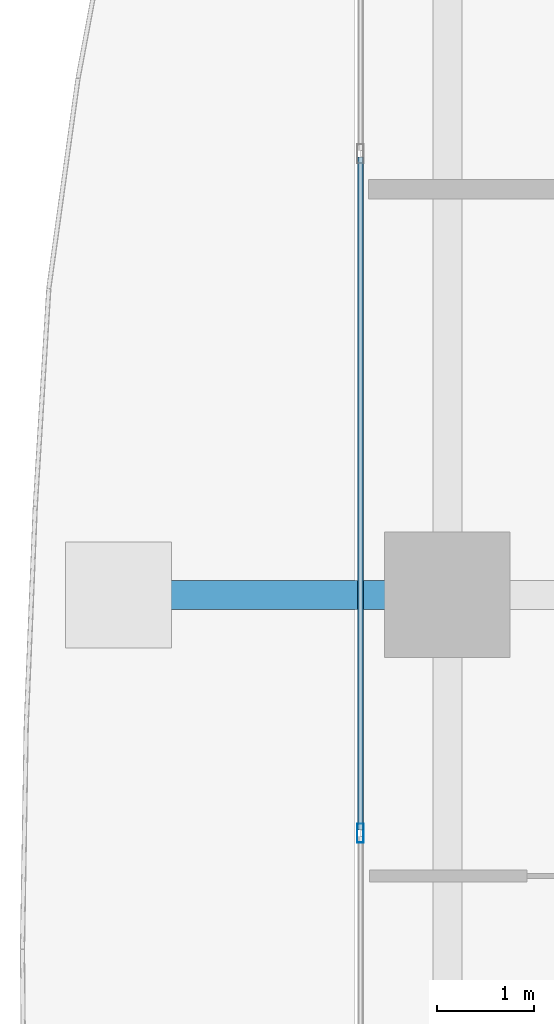
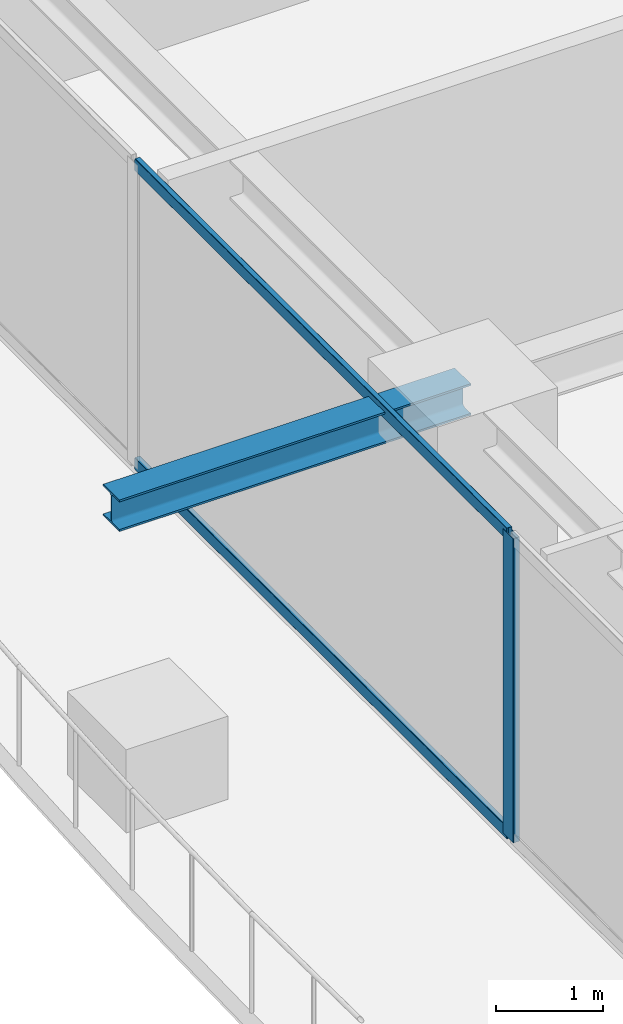
# One storey, part 10 of 38: 3 members, 1 beam, 1 element without a shape of its own.
"""IFC4 building model written with IfcOpenShell, lengths in metres."""

from ifc_helpers import new_model, si_unit, direction, frame, origin, origin_2d, place, context, subcontext, project, spatial, hollow_rectangle, i_section, extrude, source, transform, mapped, material, layer, layer_set, material_profile, profile_set, type_object, element, aggregate, save


model = new_model("IFC4")

# Units and contexts
model_context = context("Model", 3, precision=1e-05, world=origin(), true_north=direction((0.0, 1.0)))
body_context = subcontext(model_context, "Body", "Model", "MODEL_VIEW")
ifc_project = project(units=[si_unit("LENGTHUNIT", "METRE"), si_unit("AREAUNIT", "SQUARE_METRE"), si_unit("VOLUMEUNIT", "CUBIC_METRE"), si_unit("PLANEANGLEUNIT", "RADIAN"), si_unit("MASSUNIT", "GRAM", prefix="KILO")], contexts=[model_context])

# Site, building, storey
site_placement = place(None, origin())
site = spatial("IfcSite", under=ifc_project, at=site_placement, CompositionType="ELEMENT")
building_placement = place(site_placement, origin())
building = spatial("IfcBuilding", under=site, at=building_placement, Name="Serunith Strait Residences", CompositionType="ELEMENT")
storey_placement = place(building_placement, frame((0.0, 0.0, 183.89990234375)))
storey = spatial("IfcBuildingStorey", under=building, at=storey_placement, Name="L46", CompositionType="ELEMENT", Elevation=183.89990234375)

# Beam
ifc_material_1 = material(Name="Steel S355J2", Category="steel")
ifc_material_profile_1 = material_profile(ifc_material_1, i_section(OverallWidth=0.300048828125, OverallDepth=0.360107421875, WebThickness=0.012451171875, FlangeThickness=0.0224609375, FilletRadius=0.027099609375, at=origin_2d()), Name="HEB 360")
ifc_profile_set_1 = profile_set([ifc_material_profile_1], Name="Steel S355J2")
beam_type = type_object("IfcBeamType", Name="BM-HEB360", PredefinedType="BEAM", material=ifc_profile_set_1)
shared_shape_1 = source(origin(), body_context, "Body", "SweptSolid", [
    extrude(i_section(OverallWidth=0.300048828125, OverallDepth=0.360107421875, WebThickness=0.012451171875, FlangeThickness=0.0224609375, FilletRadius=0.027099609375, at=origin_2d()), origin(), (0.0, 0.0, 1.0), 3.800048828125),
])
beam_placement = place(storey_placement, frame((8.699951171875, 29.39990234375, 3.277099609375), z_axis=(-1.0, 0.0, 0.0), x_axis=(0.0, -1.0, 0.0)))
element("IfcBeam", 1, at=beam_placement, inside=storey, type_object=beam_type, Name="L47 Cantilevered Balcony Rib TC-W3", PredefinedType="BEAM", context=body_context, shape_type="MappedRepresentation", body=[
    mapped(shared_shape_1, transform((0.0, 0.0, 0.0), scale=1.0)),
])

# Curtain wall, members
ifc_material_2 = material(Name="Pale-Champagne Anodised Aluminium", Category="aluminium")
ifc_layer = layer(ifc_material_2, 0.199951171875, Name="Pale-Champagne Anodised Aluminium")
ifc_layer_set = layer_set([ifc_layer], Name="Pale-Champagne Anodised Aluminium")
curtain_wall_type = type_object("IfcCurtainWallType", Name="CW-SYS2", PredefinedType="NOTDEFINED", material=ifc_layer_set)
curtain_wall_placement = place(storey_placement, origin())
curtain_wall = element("IfcCurtainWall", 2, at=curtain_wall_placement, inside=storey, type_object=curtain_wall_type, Name="L46 W Unitised Fritted Curtain Wall", PredefinedType="NOTDEFINED")
ifc_material_profile_2 = material_profile(ifc_material_2, hollow_rectangle(XDim=0.070068359375, YDim=0.199951171875, WallThickness=0.00390625, InnerFilletRadius=0.006103515625, OuterFilletRadius=0.010009765625, at=origin_2d()), Name="ALU 200x70x4")
ifc_profile_set_2 = profile_set([ifc_material_profile_2], Name="Pale-Champagne Anodised Aluminium")
member_type_1 = type_object("IfcMemberType", Name="CW-SYS2-MULL", PredefinedType="MULLION", material=ifc_profile_set_2)
shared_shape_2 = source(origin(), body_context, "Body", "SweptSolid", [
    extrude(hollow_rectangle(XDim=0.070068359375, YDim=0.199951171875, WallThickness=0.00390625, InnerFilletRadius=0.006103515625, OuterFilletRadius=0.010009765625, at=origin_2d()), origin(), (0.0, 0.0, 1.0), 3.47509765625),
])
member_1_placement = place(storey_placement, frame((7.800048828125, 26.933349609375, 0.0), z_axis=(0.0, 0.0, 1.0), x_axis=(1.0, 0.0, 0.0)))
member_1 = element("IfcMember", 3, at=member_1_placement, type_object=member_type_1, Name="CW-2 mullion 3", PredefinedType="MULLION", context=body_context, shape_type="MappedRepresentation", body=[
    mapped(shared_shape_2, transform((0.0, 0.0, 0.0), scale=1.0)),
])
ifc_material_profile_3 = material_profile(ifc_material_2, hollow_rectangle(XDim=0.06005859375, YDim=0.139892578125, WallThickness=0.00341796875, InnerFilletRadius=0.00537109375, OuterFilletRadius=0.0087890625, at=origin_2d()), Name="ALU 140x60x3.5")
ifc_profile_set_3 = profile_set([ifc_material_profile_3], Name="Pale-Champagne Anodised Aluminium")
member_type_2 = type_object("IfcMemberType", Name="CW-SYS2-TRAN", PredefinedType="USERDEFINED", material=ifc_profile_set_3)
shared_shape_3 = source(origin(), body_context, "Body", "SweptSolid", [
    extrude(hollow_rectangle(XDim=0.06005859375, YDim=0.139892578125, WallThickness=0.00341796875, InnerFilletRadius=0.00537109375, OuterFilletRadius=0.0087890625, at=origin_2d()), origin(), (0.0, 0.0, 1.0), 6.96337890625),
])
member_2_placement = place(storey_placement, frame((7.800048828125, 33.931640625, 0.030029296875), z_axis=(0.0, -1.0, 0.0), x_axis=(1.0, 0.0, 0.0)))
member_2 = element("IfcMember", 4, at=member_2_placement, type_object=member_type_2, Name="CW-2 transom 2.1", ObjectType="TRANSOM", PredefinedType="USERDEFINED", context=body_context, shape_type="MappedRepresentation", body=[
    mapped(shared_shape_3, transform((0.0, 0.0, 0.0), scale=1.0)),
])
member_3_placement = place(storey_placement, frame((7.800048828125, 33.931640625, 3.445068359375), z_axis=(0.0, -1.0, 0.0), x_axis=(1.0, 0.0, 0.0)))
member_3 = element("IfcMember", 5, at=member_3_placement, type_object=member_type_2, Name="CW-2 transom 2.2", ObjectType="TRANSOM", PredefinedType="USERDEFINED", context=body_context, shape_type="MappedRepresentation", body=[
    mapped(shared_shape_3, transform((0.0, 0.0, 0.0), scale=1.0)),
])
aggregate(curtain_wall, [member_1, member_2, member_3])

save(model, "model.ifc")
